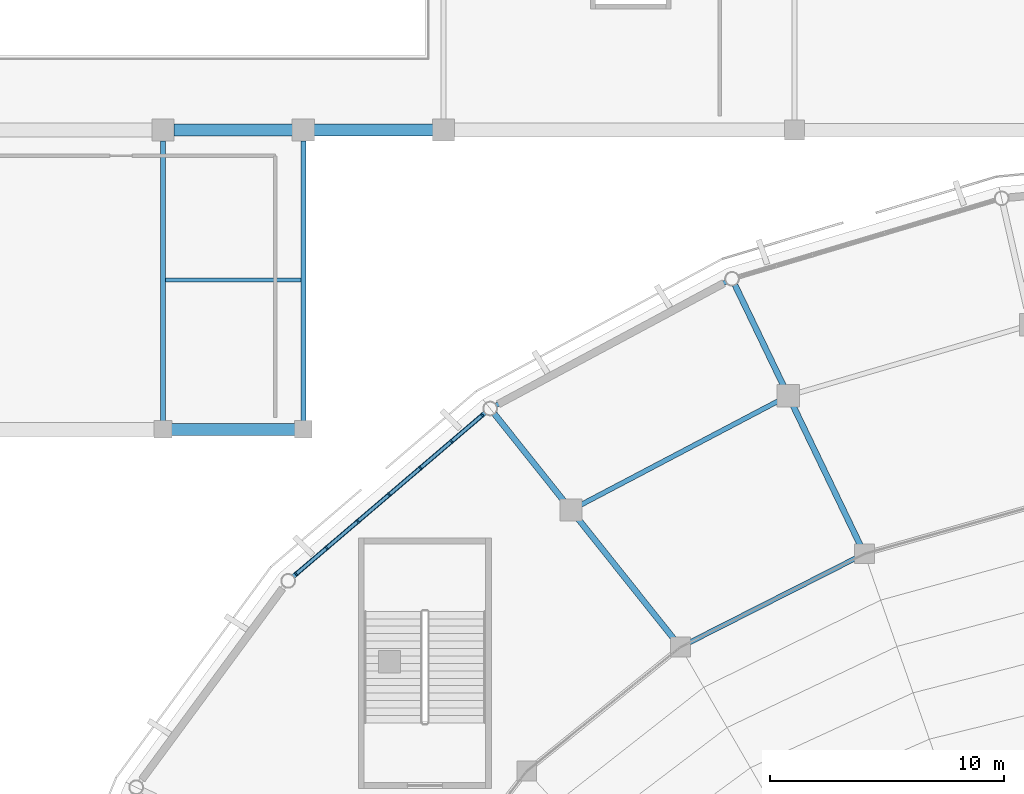
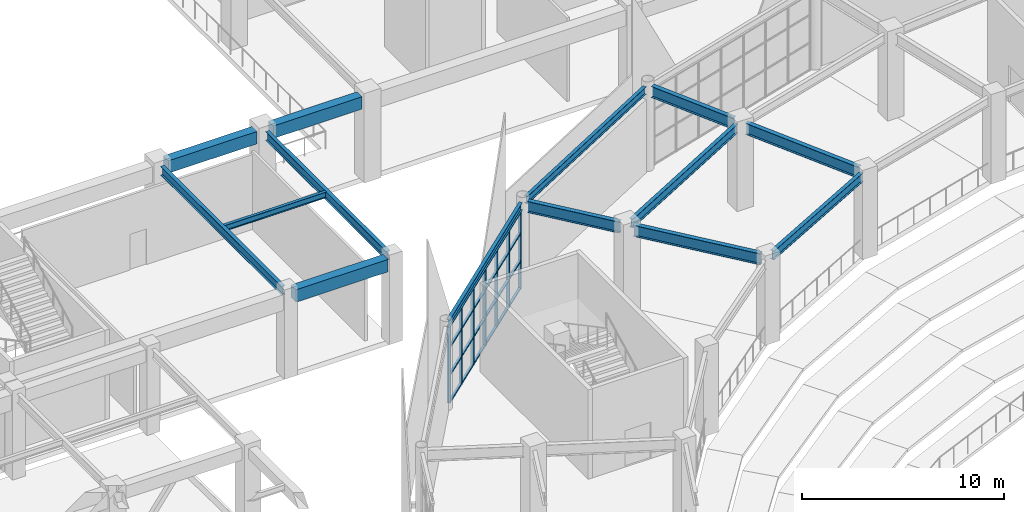
# One storey, part 38 of 120: 31 members, 14 beams, 1 element without a shape of its own.
"""IFC4 building model written with IfcOpenShell, lengths in metres."""

from ifc_helpers import new_model, si_unit, direction, frame, origin, origin_2d, place, context, subcontext, project, spatial, rectangle, i_section, extrude, material, material_profile, profile_set, type_object, element, aggregate, save


model = new_model("IFC4")

# Units and contexts
model_context = context("Model", 3, precision=1e-05, world=origin(), true_north=direction((0.0, 1.0)))
body_context = subcontext(model_context, "Body", "Model", "MODEL_VIEW")
ifc_project = project(units=[si_unit("LENGTHUNIT", "METRE"), si_unit("AREAUNIT", "SQUARE_METRE"), si_unit("VOLUMEUNIT", "CUBIC_METRE"), si_unit("PLANEANGLEUNIT", "RADIAN"), si_unit("MASSUNIT", "GRAM", prefix="KILO")], contexts=[model_context])

# Site, building, storey
site_placement = place(None, origin())
site = spatial("IfcSite", under=ifc_project, at=site_placement, CompositionType="ELEMENT")
building_placement = place(site_placement, origin())
building = spatial("IfcBuilding", under=site, at=building_placement, Name="Cuetzalor Civic Arena", CompositionType="ELEMENT")
storey_placement = place(building_placement, frame((0.0, 0.0, 6.0)))
storey = spatial("IfcBuildingStorey", under=building, at=storey_placement, Name="L01", CompositionType="ELEMENT", Elevation=6.0)

# Beams
ifc_material_1 = material(Name="Concrete C40/50", Category="concrete")
ifc_material_profile_1 = material_profile(ifc_material_1, rectangle(XDim=0.5, YDim=0.75, at=origin_2d()), Name="RC 500x750")
ifc_profile_set_1 = profile_set([ifc_material_profile_1], Name="Concrete C40/50")
beam_type_1 = type_object("IfcBeamType", Name="ConcreteFrameBeam_500x750", PredefinedType="BEAM", material=ifc_profile_set_1)
beam_1_placement = place(storey_placement, frame((-47.635009765625, 35.5, 4.705078125), z_axis=(1.0, 0.0, 0.0), x_axis=(0.0, 1.0, 0.0)))
element("IfcBeam", 1, at=beam_1_placement, inside=storey, type_object=beam_type_1, Name="Frame Girder V5-L01-X0503", PredefinedType="BEAM", context=body_context, shape_type="SweptSolid", body=[
    extrude(rectangle(XDim=0.5, YDim=0.75, at=origin_2d()), origin(), (0.0, 0.0, 1.0), 5.27001953125),
])
for number, where, z_axis, x_axis, name in (
    (2, (-47.534912109375, 48.300048828125, 4.705078125), (1.0, 0.0, 0.0), (0.0, 1.0, 0.0), "Frame Girder V5-L01-X0509"),
    (3, (-41.534912109375, 48.300048828125, 4.705078125), (1.0, 0.0, 0.0), (0.0, 1.0, 0.0), "Frame Girder V5-L01-X0510"),
):
    element("IfcBeam", number, at=place(storey_placement, frame(where, z_axis=z_axis, x_axis=x_axis)), inside=storey, type_object=beam_type_1, Name=name, PredefinedType="BEAM", context=body_context, shape_type="SweptSolid", body=[
        extrude(rectangle(XDim=0.5, YDim=0.75, at=origin_2d()), origin(), (0.0, 0.0, 1.0), 5.06982421875),
    ])

# Curtain wall, members
ifc_material_2 = material(Name="Anodised dark bronze aluminium and low-E solar glass", Category="aluminium")
curtain_wall_type = type_object("IfcCurtainWallType", Name="UnitisedCW_10550x4650", PredefinedType="USERDEFINED", material=ifc_material_2)
curtain_wall_placement = place(storey_placement, origin())
curtain_wall = element("IfcCurtainWall", 4, at=curtain_wall_placement, inside=storey, type_object=curtain_wall_type, Name="Drum Triangle Foyer Curtain Wall L01-025", ObjectType="UNITISED CURTAIN WALL", PredefinedType="USERDEFINED")
ifc_material_3 = material(Name="Anodised dark bronze aluminium", Category="aluminium")
ifc_material_profile_2 = material_profile(ifc_material_3, rectangle(XDim=0.070068359375, YDim=0.179931640625, at=origin_2d()), Name="ALU MULLION 70x180")
ifc_profile_set_2 = profile_set([ifc_material_profile_2], Name="Anodised dark bronze aluminium")
member_type_1 = type_object("IfcMemberType", Name="CurtainWallMullion_65x180", PredefinedType="MULLION", material=ifc_profile_set_2)
member_1_placement = place(storey_placement, frame((-42.308837890625, 29.313720703125, 0.0), z_axis=(0.0, 0.0, 1.0), x_axis=(0.760677142663, 0.64913040649, 0.0)))
member_1 = element("IfcMember", 5, at=member_1_placement, type_object=member_type_1, Name="CW-10 mullion 1", PredefinedType="MULLION", context=body_context, shape_type="SweptSolid", body=[
    extrude(rectangle(XDim=0.070068359375, YDim=0.179931640625, at=origin_2d()), origin(), (0.0, 0.0, 1.0), 4.653076171875),
])
member_2_placement = place(storey_placement, frame((-41.00048828125, 30.43017578125, 0.0), z_axis=(0.0, 0.0, 1.0), x_axis=(0.760677142663, 0.64913040649, 0.0)))
member_2 = element("IfcMember", 6, at=member_2_placement, type_object=member_type_1, Name="CW-10 mullion 2", PredefinedType="MULLION", context=body_context, shape_type="SweptSolid", body=[
    extrude(rectangle(XDim=0.070068359375, YDim=0.179931640625, at=origin_2d()), origin(), (0.0, 0.0, 1.0), 4.653076171875),
])
member_3_placement = place(storey_placement, frame((-39.665283203125, 31.569580078125, 0.0), z_axis=(0.0, 0.0, 1.0), x_axis=(0.760677142663, 0.64913040649, 0.0)))
member_3 = element("IfcMember", 7, at=member_3_placement, type_object=member_type_1, Name="CW-10 mullion 3", PredefinedType="MULLION", context=body_context, shape_type="SweptSolid", body=[
    extrude(rectangle(XDim=0.070068359375, YDim=0.179931640625, at=origin_2d()), origin(), (0.0, 0.0, 1.0), 4.653076171875),
])
member_4_placement = place(storey_placement, frame((-38.330078125, 32.708984375, 0.0), z_axis=(0.0, 0.0, 1.0), x_axis=(0.760677142663, 0.64913040649, 0.0)))
member_4 = element("IfcMember", 8, at=member_4_placement, type_object=member_type_1, Name="CW-10 mullion 4", PredefinedType="MULLION", context=body_context, shape_type="SweptSolid", body=[
    extrude(rectangle(XDim=0.070068359375, YDim=0.179931640625, at=origin_2d()), origin(), (0.0, 0.0, 1.0), 4.653076171875),
])
member_5_placement = place(storey_placement, frame((-36.9951171875, 33.84814453125, 0.0), z_axis=(0.0, 0.0, 1.0), x_axis=(0.760677142663, 0.64913040649, 0.0)))
member_5 = element("IfcMember", 9, at=member_5_placement, type_object=member_type_1, Name="CW-10 mullion 5", PredefinedType="MULLION", context=body_context, shape_type="SweptSolid", body=[
    extrude(rectangle(XDim=0.070068359375, YDim=0.179931640625, at=origin_2d()), origin(), (0.0, 0.0, 1.0), 4.653076171875),
])
member_6_placement = place(storey_placement, frame((-35.659912109375, 34.987548828125, 0.0), z_axis=(0.0, 0.0, 1.0), x_axis=(0.760677142663, 0.64913040649, 0.0)))
member_6 = element("IfcMember", 10, at=member_6_placement, type_object=member_type_1, Name="CW-10 mullion 6", PredefinedType="MULLION", context=body_context, shape_type="SweptSolid", body=[
    extrude(rectangle(XDim=0.070068359375, YDim=0.179931640625, at=origin_2d()), origin(), (0.0, 0.0, 1.0), 4.653076171875),
])
member_7_placement = place(storey_placement, frame((-34.351318359375, 36.104248046875, 0.0), z_axis=(0.0, 0.0, 1.0), x_axis=(0.760677142663, 0.64913040649, 0.0)))
member_7 = element("IfcMember", 11, at=member_7_placement, type_object=member_type_1, Name="CW-10 mullion 7", PredefinedType="MULLION", context=body_context, shape_type="SweptSolid", body=[
    extrude(rectangle(XDim=0.070068359375, YDim=0.179931640625, at=origin_2d()), origin(), (0.0, 0.0, 1.0), 4.653076171875),
])
ifc_material_4 = material(Name="Anodised dark bronze aluminium", Category="aluminium")
ifc_material_profile_3 = material_profile(ifc_material_4, rectangle(XDim=0.139892578125, YDim=0.070068359375, at=origin_2d()), Name="ALU TRANSOM 70x140")
ifc_profile_set_3 = profile_set([ifc_material_profile_3], Name="Anodised dark bronze aluminium")
member_type_2 = type_object("IfcMemberType", Name="CurtainWallTransom_65x140", PredefinedType="USERDEFINED", material=ifc_profile_set_3)
member_8_placement = place(storey_placement, frame((-42.2822265625, 29.33642578125, 0.034912109375), z_axis=(0.760685671195, 0.64912041228, 0.0), x_axis=(-0.64912041228, 0.760685671195, 0.0)))
member_8 = element("IfcMember", 12, at=member_8_placement, type_object=member_type_2, Name="CW-10 transom 1.1", ObjectType="TRANSOM", PredefinedType="USERDEFINED", context=body_context, shape_type="SweptSolid", body=[
    extrude(rectangle(XDim=0.139892578125, YDim=0.070068359375, at=origin_2d()), origin(), (0.0, 0.0, 1.0), 1.64990234375),
])
member_9_placement = place(storey_placement, frame((-42.2822265625, 29.33642578125, 1.675048828125), z_axis=(0.760685671195, 0.64912041228, 0.0), x_axis=(-0.64912041228, 0.760685671195, 0.0)))
member_9 = element("IfcMember", 13, at=member_9_placement, type_object=member_type_2, Name="CW-10 transom 1.2", ObjectType="TRANSOM", PredefinedType="USERDEFINED", context=body_context, shape_type="SweptSolid", body=[
    extrude(rectangle(XDim=0.139892578125, YDim=0.070068359375, at=origin_2d()), origin(), (0.0, 0.0, 1.0), 1.64990234375),
])
member_10_placement = place(storey_placement, frame((-42.2822265625, 29.33642578125, 3.35009765625), z_axis=(0.760685671195, 0.64912041228, 0.0), x_axis=(-0.64912041228, 0.760685671195, 0.0)))
member_10 = element("IfcMember", 14, at=member_10_placement, type_object=member_type_2, Name="CW-10 transom 1.3", ObjectType="TRANSOM", PredefinedType="USERDEFINED", context=body_context, shape_type="SweptSolid", body=[
    extrude(rectangle(XDim=0.139892578125, YDim=0.070068359375, at=origin_2d()), origin(), (0.0, 0.0, 1.0), 1.64990234375),
])
member_11_placement = place(storey_placement, frame((-42.2822265625, 29.33642578125, 4.617919921875), z_axis=(0.760685671195, 0.64912041228, 0.0), x_axis=(-0.64912041228, 0.760685671195, 0.0)))
member_11 = element("IfcMember", 15, at=member_11_placement, type_object=member_type_2, Name="CW-10 transom 1.4", ObjectType="TRANSOM", PredefinedType="USERDEFINED", context=body_context, shape_type="SweptSolid", body=[
    extrude(rectangle(XDim=0.139892578125, YDim=0.070068359375, at=origin_2d()), origin(), (0.0, 0.0, 1.0), 1.64990234375),
])
member_12_placement = place(storey_placement, frame((-40.973876953125, 30.452880859375, 0.034912109375), z_axis=(0.760676154185, 0.649131564826, 0.0), x_axis=(-0.649131564826, 0.760676154185, 0.0)))
member_12 = element("IfcMember", 16, at=member_12_placement, type_object=member_type_2, Name="CW-10 transom 2.1", ObjectType="TRANSOM", PredefinedType="USERDEFINED", context=body_context, shape_type="SweptSolid", body=[
    extrude(rectangle(XDim=0.139892578125, YDim=0.070068359375, at=origin_2d()), origin(), (0.0, 0.0, 1.0), 1.685302734375),
])
member_13_placement = place(storey_placement, frame((-40.973876953125, 30.452880859375, 1.675048828125), z_axis=(0.760676154185, 0.649131564826, 0.0), x_axis=(-0.649131564826, 0.760676154185, 0.0)))
member_13 = element("IfcMember", 17, at=member_13_placement, type_object=member_type_2, Name="CW-10 transom 2.2", ObjectType="TRANSOM", PredefinedType="USERDEFINED", context=body_context, shape_type="SweptSolid", body=[
    extrude(rectangle(XDim=0.139892578125, YDim=0.070068359375, at=origin_2d()), origin(), (0.0, 0.0, 1.0), 1.685302734375),
])
member_14_placement = place(storey_placement, frame((-40.973876953125, 30.452880859375, 3.35009765625), z_axis=(0.760676154185, 0.649131564826, 0.0), x_axis=(-0.649131564826, 0.760676154185, 0.0)))
member_14 = element("IfcMember", 18, at=member_14_placement, type_object=member_type_2, Name="CW-10 transom 2.3", ObjectType="TRANSOM", PredefinedType="USERDEFINED", context=body_context, shape_type="SweptSolid", body=[
    extrude(rectangle(XDim=0.139892578125, YDim=0.070068359375, at=origin_2d()), origin(), (0.0, 0.0, 1.0), 1.685302734375),
])
member_15_placement = place(storey_placement, frame((-40.973876953125, 30.452880859375, 4.617919921875), z_axis=(0.760676154185, 0.649131564826, 0.0), x_axis=(-0.649131564826, 0.760676154185, 0.0)))
member_15 = element("IfcMember", 19, at=member_15_placement, type_object=member_type_2, Name="CW-10 transom 2.4", ObjectType="TRANSOM", PredefinedType="USERDEFINED", context=body_context, shape_type="SweptSolid", body=[
    extrude(rectangle(XDim=0.139892578125, YDim=0.070068359375, at=origin_2d()), origin(), (0.0, 0.0, 1.0), 1.685302734375),
])
member_16_placement = place(storey_placement, frame((-39.638671875, 31.59228515625, 0.034912109375), z_axis=(0.760676154185, 0.649131564826, 0.0), x_axis=(-0.649131564826, 0.760676154185, 0.0)))
member_16 = element("IfcMember", 20, at=member_16_placement, type_object=member_type_2, Name="CW-10 transom 3.1", ObjectType="TRANSOM", PredefinedType="USERDEFINED", context=body_context, shape_type="SweptSolid", body=[
    extrude(rectangle(XDim=0.139892578125, YDim=0.070068359375, at=origin_2d()), origin(), (0.0, 0.0, 1.0), 1.685302734375),
])
member_17_placement = place(storey_placement, frame((-39.638671875, 31.59228515625, 1.675048828125), z_axis=(0.760676154185, 0.649131564826, 0.0), x_axis=(-0.649131564826, 0.760676154185, 0.0)))
member_17 = element("IfcMember", 21, at=member_17_placement, type_object=member_type_2, Name="CW-10 transom 3.2", ObjectType="TRANSOM", PredefinedType="USERDEFINED", context=body_context, shape_type="SweptSolid", body=[
    extrude(rectangle(XDim=0.139892578125, YDim=0.070068359375, at=origin_2d()), origin(), (0.0, 0.0, 1.0), 1.685302734375),
])
member_18_placement = place(storey_placement, frame((-39.638671875, 31.59228515625, 3.35009765625), z_axis=(0.760676154185, 0.649131564826, 0.0), x_axis=(-0.649131564826, 0.760676154185, 0.0)))
member_18 = element("IfcMember", 22, at=member_18_placement, type_object=member_type_2, Name="CW-10 transom 3.3", ObjectType="TRANSOM", PredefinedType="USERDEFINED", context=body_context, shape_type="SweptSolid", body=[
    extrude(rectangle(XDim=0.139892578125, YDim=0.070068359375, at=origin_2d()), origin(), (0.0, 0.0, 1.0), 1.685302734375),
])
member_19_placement = place(storey_placement, frame((-39.638671875, 31.59228515625, 4.617919921875), z_axis=(0.760676154185, 0.649131564826, 0.0), x_axis=(-0.649131564826, 0.760676154185, 0.0)))
member_19 = element("IfcMember", 23, at=member_19_placement, type_object=member_type_2, Name="CW-10 transom 3.4", ObjectType="TRANSOM", PredefinedType="USERDEFINED", context=body_context, shape_type="SweptSolid", body=[
    extrude(rectangle(XDim=0.139892578125, YDim=0.070068359375, at=origin_2d()), origin(), (0.0, 0.0, 1.0), 1.685302734375),
])
member_20_placement = place(storey_placement, frame((-38.303466796875, 32.731689453125, 0.034912109375), z_axis=(0.760686645348, 0.649119270697, 0.0), x_axis=(-0.649119270697, 0.760686645348, 0.0)))
member_20 = element("IfcMember", 24, at=member_20_placement, type_object=member_type_2, Name="CW-10 transom 4.1", ObjectType="TRANSOM", PredefinedType="USERDEFINED", context=body_context, shape_type="SweptSolid", body=[
    extrude(rectangle(XDim=0.139892578125, YDim=0.070068359375, at=origin_2d()), origin(), (0.0, 0.0, 1.0), 1.68505859375),
])
member_21_placement = place(storey_placement, frame((-38.303466796875, 32.731689453125, 1.675048828125), z_axis=(0.760686645348, 0.649119270697, 0.0), x_axis=(-0.649119270697, 0.760686645348, 0.0)))
member_21 = element("IfcMember", 25, at=member_21_placement, type_object=member_type_2, Name="CW-10 transom 4.2", ObjectType="TRANSOM", PredefinedType="USERDEFINED", context=body_context, shape_type="SweptSolid", body=[
    extrude(rectangle(XDim=0.139892578125, YDim=0.070068359375, at=origin_2d()), origin(), (0.0, 0.0, 1.0), 1.68505859375),
])
member_22_placement = place(storey_placement, frame((-38.303466796875, 32.731689453125, 3.35009765625), z_axis=(0.760686645348, 0.649119270697, 0.0), x_axis=(-0.649119270697, 0.760686645348, 0.0)))
member_22 = element("IfcMember", 26, at=member_22_placement, type_object=member_type_2, Name="CW-10 transom 4.3", ObjectType="TRANSOM", PredefinedType="USERDEFINED", context=body_context, shape_type="SweptSolid", body=[
    extrude(rectangle(XDim=0.139892578125, YDim=0.070068359375, at=origin_2d()), origin(), (0.0, 0.0, 1.0), 1.68505859375),
])
member_23_placement = place(storey_placement, frame((-38.303466796875, 32.731689453125, 4.617919921875), z_axis=(0.760686645348, 0.649119270697, 0.0), x_axis=(-0.649119270697, 0.760686645348, 0.0)))
member_23 = element("IfcMember", 27, at=member_23_placement, type_object=member_type_2, Name="CW-10 transom 4.4", ObjectType="TRANSOM", PredefinedType="USERDEFINED", context=body_context, shape_type="SweptSolid", body=[
    extrude(rectangle(XDim=0.139892578125, YDim=0.070068359375, at=origin_2d()), origin(), (0.0, 0.0, 1.0), 1.68505859375),
])
member_24_placement = place(storey_placement, frame((-36.968505859375, 33.870849609375, 0.034912109375), z_axis=(0.760676154185, 0.649131564826, 0.0), x_axis=(-0.649131564826, 0.760676154185, 0.0)))
member_24 = element("IfcMember", 28, at=member_24_placement, type_object=member_type_2, Name="CW-10 transom 5.1", ObjectType="TRANSOM", PredefinedType="USERDEFINED", context=body_context, shape_type="SweptSolid", body=[
    extrude(rectangle(XDim=0.139892578125, YDim=0.070068359375, at=origin_2d()), origin(), (0.0, 0.0, 1.0), 1.685302734375),
])
member_25_placement = place(storey_placement, frame((-36.968505859375, 33.870849609375, 1.675048828125), z_axis=(0.760676154185, 0.649131564826, 0.0), x_axis=(-0.649131564826, 0.760676154185, 0.0)))
member_25 = element("IfcMember", 29, at=member_25_placement, type_object=member_type_2, Name="CW-10 transom 5.2", ObjectType="TRANSOM", PredefinedType="USERDEFINED", context=body_context, shape_type="SweptSolid", body=[
    extrude(rectangle(XDim=0.139892578125, YDim=0.070068359375, at=origin_2d()), origin(), (0.0, 0.0, 1.0), 1.685302734375),
])
member_26_placement = place(storey_placement, frame((-36.968505859375, 33.870849609375, 3.35009765625), z_axis=(0.760676154185, 0.649131564826, 0.0), x_axis=(-0.649131564826, 0.760676154185, 0.0)))
member_26 = element("IfcMember", 30, at=member_26_placement, type_object=member_type_2, Name="CW-10 transom 5.3", ObjectType="TRANSOM", PredefinedType="USERDEFINED", context=body_context, shape_type="SweptSolid", body=[
    extrude(rectangle(XDim=0.139892578125, YDim=0.070068359375, at=origin_2d()), origin(), (0.0, 0.0, 1.0), 1.685302734375),
])
member_27_placement = place(storey_placement, frame((-36.968505859375, 33.870849609375, 4.617919921875), z_axis=(0.760676154185, 0.649131564826, 0.0), x_axis=(-0.649131564826, 0.760676154185, 0.0)))
member_27 = element("IfcMember", 31, at=member_27_placement, type_object=member_type_2, Name="CW-10 transom 5.4", ObjectType="TRANSOM", PredefinedType="USERDEFINED", context=body_context, shape_type="SweptSolid", body=[
    extrude(rectangle(XDim=0.139892578125, YDim=0.070068359375, at=origin_2d()), origin(), (0.0, 0.0, 1.0), 1.685302734375),
])
member_28_placement = place(storey_placement, frame((-35.63330078125, 35.01025390625, 0.034912109375), z_axis=(0.76067495784, 0.649132966745, 0.0), x_axis=(-0.649132966745, 0.76067495784, 0.0)))
member_28 = element("IfcMember", 32, at=member_28_placement, type_object=member_type_2, Name="CW-10 transom 6.1", ObjectType="TRANSOM", PredefinedType="USERDEFINED", context=body_context, shape_type="SweptSolid", body=[
    extrude(rectangle(XDim=0.139892578125, YDim=0.070068359375, at=origin_2d()), origin(), (0.0, 0.0, 1.0), 1.650390625),
])
member_29_placement = place(storey_placement, frame((-35.63330078125, 35.01025390625, 1.675048828125), z_axis=(0.76067495784, 0.649132966745, 0.0), x_axis=(-0.649132966745, 0.76067495784, 0.0)))
member_29 = element("IfcMember", 33, at=member_29_placement, type_object=member_type_2, Name="CW-10 transom 6.2", ObjectType="TRANSOM", PredefinedType="USERDEFINED", context=body_context, shape_type="SweptSolid", body=[
    extrude(rectangle(XDim=0.139892578125, YDim=0.070068359375, at=origin_2d()), origin(), (0.0, 0.0, 1.0), 1.650390625),
])
member_30_placement = place(storey_placement, frame((-35.63330078125, 35.01025390625, 3.35009765625), z_axis=(0.76067495784, 0.649132966745, 0.0), x_axis=(-0.649132966745, 0.76067495784, 0.0)))
member_30 = element("IfcMember", 34, at=member_30_placement, type_object=member_type_2, Name="CW-10 transom 6.3", ObjectType="TRANSOM", PredefinedType="USERDEFINED", context=body_context, shape_type="SweptSolid", body=[
    extrude(rectangle(XDim=0.139892578125, YDim=0.070068359375, at=origin_2d()), origin(), (0.0, 0.0, 1.0), 1.650390625),
])
member_31_placement = place(storey_placement, frame((-35.63330078125, 35.01025390625, 4.617919921875), z_axis=(0.76067495784, 0.649132966745, 0.0), x_axis=(-0.649132966745, 0.76067495784, 0.0)))
member_31 = element("IfcMember", 35, at=member_31_placement, type_object=member_type_2, Name="CW-10 transom 6.4", ObjectType="TRANSOM", PredefinedType="USERDEFINED", context=body_context, shape_type="SweptSolid", body=[
    extrude(rectangle(XDim=0.139892578125, YDim=0.070068359375, at=origin_2d()), origin(), (0.0, 0.0, 1.0), 1.650390625),
])
aggregate(curtain_wall, [member_1, member_2, member_3, member_4, member_5, member_6, member_7, member_8, member_9, member_10, member_11, member_12, member_13, member_14, member_15, member_16, member_17, member_18, member_19, member_20, member_21, member_22, member_23, member_24, member_25, member_26, member_27, member_28, member_29, member_30, member_31])

# Beams
ifc_material_5 = material(Name="Steel S355", Category="steel")
ifc_material_profile_4 = material_profile(ifc_material_5, i_section(OverallWidth=0.18994140625, OverallDepth=0.45703125, WebThickness=0.009033203125, FlangeThickness=0.014404296875, at=origin_2d()), Name="W460x74")
ifc_profile_set_4 = profile_set([ifc_material_profile_4], Name="Steel S355")
beam_type_2 = type_object("IfcBeamType", Name="FacadeSpandrelBeam_W460", PredefinedType="SPANDREL", material=ifc_profile_set_4)
beam_2_placement = place(storey_placement, frame((-23.924072265625, 41.802978515625, 4.8916015625), z_axis=(-0.881304552514, -0.472548712534, 0.0), x_axis=(0.472548712534, -0.881304552514, 0.0)))
element("IfcBeam", 36, at=beam_2_placement, inside=storey, type_object=beam_type_2, Name="Drum Perimeter Spandrel L01-S10", PredefinedType="SPANDREL", context=body_context, shape_type="SweptSolid", body=[
    extrude(i_section(OverallWidth=0.18994140625, OverallDepth=0.45703125, WebThickness=0.009033203125, FlangeThickness=0.014404296875, at=origin_2d()), origin(), (0.0, 0.0, 1.0), 11.156005859375),
])
beam_3_placement = place(storey_placement, frame((-34.23193359375, 36.2060546875, 4.8916015625), z_axis=(-0.760676650628, -0.649130983076, 0.0), x_axis=(0.649130983076, -0.760676650628, 0.0)))
element("IfcBeam", 37, at=beam_3_placement, inside=storey, type_object=beam_type_2, Name="Drum Perimeter Spandrel L01-S11", PredefinedType="SPANDREL", context=body_context, shape_type="SweptSolid", body=[
    extrude(i_section(OverallWidth=0.18994140625, OverallDepth=0.45703125, WebThickness=0.009033203125, FlangeThickness=0.014404296875, at=origin_2d()), origin(), (0.0, 0.0, 1.0), 10.77490234375),
])
ifc_material_6 = material(Name="Steel S355", Category="steel")
ifc_material_profile_5 = material_profile(ifc_material_6, i_section(OverallWidth=0.1708984375, OverallDepth=0.35498046875, WebThickness=0.007080078125, FlangeThickness=0.01171875, at=origin_2d()), Name="W360x51")
ifc_profile_set_5 = profile_set([ifc_material_profile_5], Name="Steel S355")
beam_type_3 = type_object("IfcBeamType", Name="SecondaryFloorJoist_W360", PredefinedType="JOIST", material=ifc_profile_set_5)
beam_4_placement = place(storey_placement, frame((-47.903564453125, 41.89990234375, 4.902587890625), z_axis=(1.0, 0.0, 0.0), x_axis=(0.0, 1.0, 0.0)))
element("IfcBeam", 38, at=beam_4_placement, inside=storey, type_object=beam_type_3, Name="Secondary Floor Joist V5-L01-0162", PredefinedType="JOIST", context=body_context, shape_type="SweptSolid", body=[
    extrude(i_section(OverallWidth=0.1708984375, OverallDepth=0.35498046875, WebThickness=0.007080078125, FlangeThickness=0.01171875, at=origin_2d()), origin(), (0.0, 0.0, 1.0), 5.80712890625),
])
ifc_material_7 = material(Name="Steel S355", Category="steel")
ifc_material_profile_6 = material_profile(ifc_material_7, i_section(OverallWidth=0.208984375, OverallDepth=0.532958984375, WebThickness=0.01025390625, FlangeThickness=0.015625, at=origin_2d()), Name="W530x92")
ifc_profile_set_6 = profile_set([ifc_material_profile_6], Name="Steel S355")
beam_type_4 = type_object("IfcBeamType", Name="SteelCollarGirder_W530", PredefinedType="BEAM", material=ifc_profile_set_6)
beam_5_placement = place(storey_placement, frame((-21.587890625, 36.767578125, 4.853515625), z_axis=(-0.885117354883, -0.465367884673, 0.0), x_axis=(0.465367884673, -0.885117354883, 0.0)))
element("IfcBeam", 39, at=beam_5_placement, inside=storey, type_object=beam_type_4, Name="Drum Concourse Ring Girder L01-S10", PredefinedType="BEAM", context=body_context, shape_type="SweptSolid", body=[
    extrude(i_section(OverallWidth=0.208984375, OverallDepth=0.532958984375, WebThickness=0.01025390625, FlangeThickness=0.015625, at=origin_2d()), origin(), (0.0, 0.0, 1.0), 9.75634765625),
])
beam_6_placement = place(storey_placement, frame((-18.327392578125, 30.019775390625, 4.853515625), z_axis=(-0.89182706622, -0.452376484754, 0.0), x_axis=(0.452376484754, -0.89182706622, 0.0)))
element("IfcBeam", 40, at=beam_6_placement, inside=storey, type_object=beam_type_4, Name="Bowl Inner Ring Girder L01-S10", PredefinedType="BEAM", context=body_context, shape_type="SweptSolid", body=[
    extrude(i_section(OverallWidth=0.208984375, OverallDepth=0.532958984375, WebThickness=0.01025390625, FlangeThickness=0.015625, at=origin_2d()), origin(), (0.0, 0.0, 1.0), 8.102783203125),
])
for number, where, z_axis, x_axis, name in (
    (41, (-48.0, 35.864990234375, 4.8134765625), (0.0, 1.0, 0.0), (-1.0, 0.0, 0.0), "Frame Girder V5-L01-Y0549"),
    (42, (-42.0, 35.864990234375, 4.8134765625), (0.0, 1.0, 0.0), (-1.0, 0.0, 0.0), "Frame Girder V5-L01-Y0550"),
):
    element("IfcBeam", number, at=place(storey_placement, frame(where, z_axis=z_axis, x_axis=x_axis)), inside=storey, type_object=beam_type_4, Name=name, PredefinedType="BEAM", context=body_context, shape_type="SweptSolid", body=[
        extrude(i_section(OverallWidth=0.208984375, OverallDepth=0.532958984375, WebThickness=0.01025390625, FlangeThickness=0.015625, at=origin_2d()), origin(), (0.0, 0.0, 1.0), 11.969970703125),
    ])
ifc_material_8 = material(Name="Steel S355", Category="steel")
ifc_material_profile_7 = material_profile(ifc_material_8, i_section(OverallWidth=0.2529296875, OverallDepth=0.677978515625, WebThickness=0.01171875, FlangeThickness=0.016357421875, at=origin_2d()), Name="W690x125")
ifc_profile_set_7 = profile_set([ifc_material_profile_7], Name="Steel S355")
beam_type_5 = type_object("IfcBeamType", Name="SteelPrimaryGirder_W690", PredefinedType="BEAM", material=ifc_profile_set_7)
beam_7_placement = place(storey_placement, frame((-21.41650390625, 37.263916015625, 4.781005859375), z_axis=(-0.433871046232, 0.900974980364, 0.0), x_axis=(-0.900974980364, -0.433871046232, 0.0)))
element("IfcBeam", 43, at=beam_7_placement, inside=storey, type_object=beam_type_5, Name="Drum Radial Girder L01-R10", PredefinedType="BEAM", context=body_context, shape_type="SweptSolid", body=[
    extrude(i_section(OverallWidth=0.2529296875, OverallDepth=0.677978515625, WebThickness=0.01171875, FlangeThickness=0.016357421875, at=origin_2d()), origin(), (0.0, 0.0, 1.0), 4.89990234375),
])
beam_8_placement = place(storey_placement, frame((-18.162353515625, 30.5068359375, 4.781005859375), z_axis=(-0.433869751452, 0.900975603874, 0.0), x_axis=(-0.900975603874, -0.433869751452, 0.0)))
element("IfcBeam", 44, at=beam_8_placement, inside=storey, type_object=beam_type_5, Name="Drum Inner Radial Girder L01-R10", PredefinedType="BEAM", context=body_context, shape_type="SweptSolid", body=[
    extrude(i_section(OverallWidth=0.2529296875, OverallDepth=0.677978515625, WebThickness=0.01171875, FlangeThickness=0.016357421875, at=origin_2d()), origin(), (0.0, 0.0, 1.0), 6.780029296875),
])
beam_9_placement = place(storey_placement, frame((-30.775390625, 32.336669921875, 4.781005859375), z_axis=(-0.623515538789, 0.781810957258, 0.0), x_axis=(-0.781810957258, -0.623515538789, 0.0)))
element("IfcBeam", 45, at=beam_9_placement, inside=storey, type_object=beam_type_5, Name="Drum Radial Girder L01-R11", PredefinedType="BEAM", context=body_context, shape_type="SweptSolid", body=[
    extrude(i_section(OverallWidth=0.2529296875, OverallDepth=0.677978515625, WebThickness=0.01171875, FlangeThickness=0.016357421875, at=origin_2d()), origin(), (0.0, 0.0, 1.0), 4.89990234375),
])
beam_10_placement = place(storey_placement, frame((-26.099365234375, 26.472900390625, 4.781005859375), z_axis=(-0.623473464464, 0.781844510826, 0.0), x_axis=(-0.781844510826, -0.623473464464, 0.0)))
element("IfcBeam", 46, at=beam_10_placement, inside=storey, type_object=beam_type_5, Name="Drum Inner Radial Girder L01-R11", PredefinedType="BEAM", context=body_context, shape_type="SweptSolid", body=[
    extrude(i_section(OverallWidth=0.2529296875, OverallDepth=0.677978515625, WebThickness=0.01171875, FlangeThickness=0.016357421875, at=origin_2d()), origin(), (0.0, 0.0, 1.0), 6.77978515625),
])

save(model, "model.ifc")
